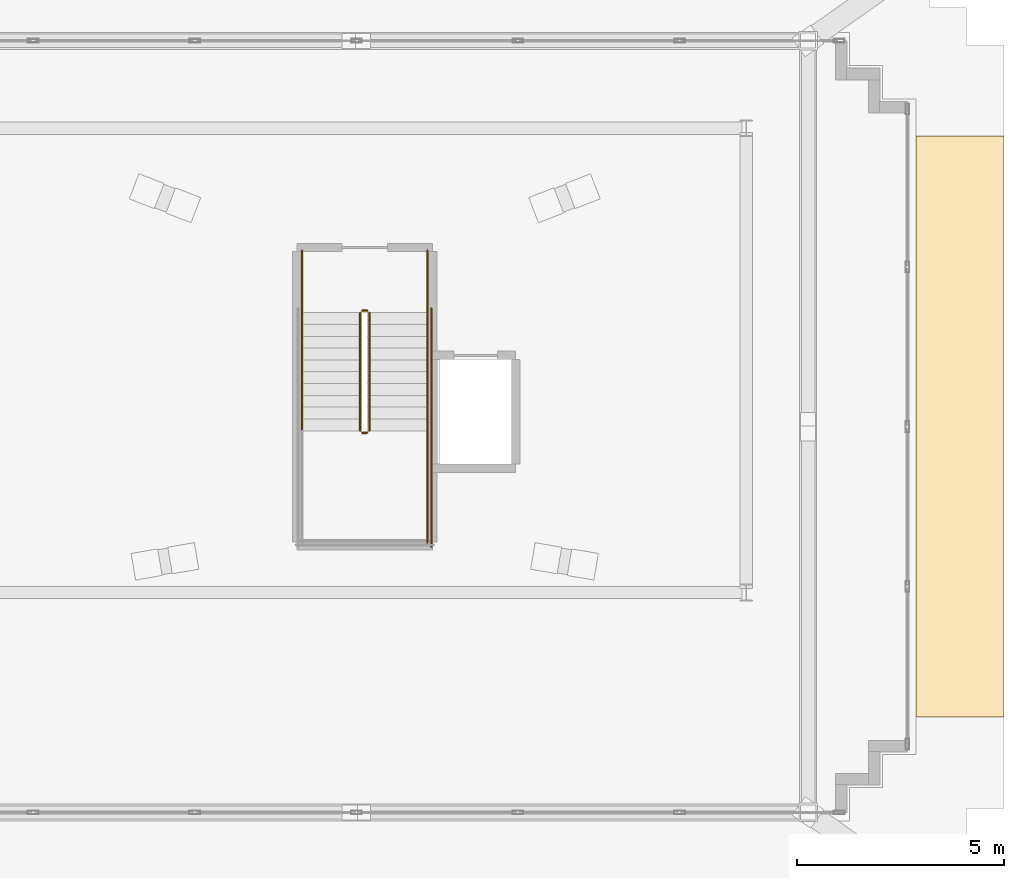
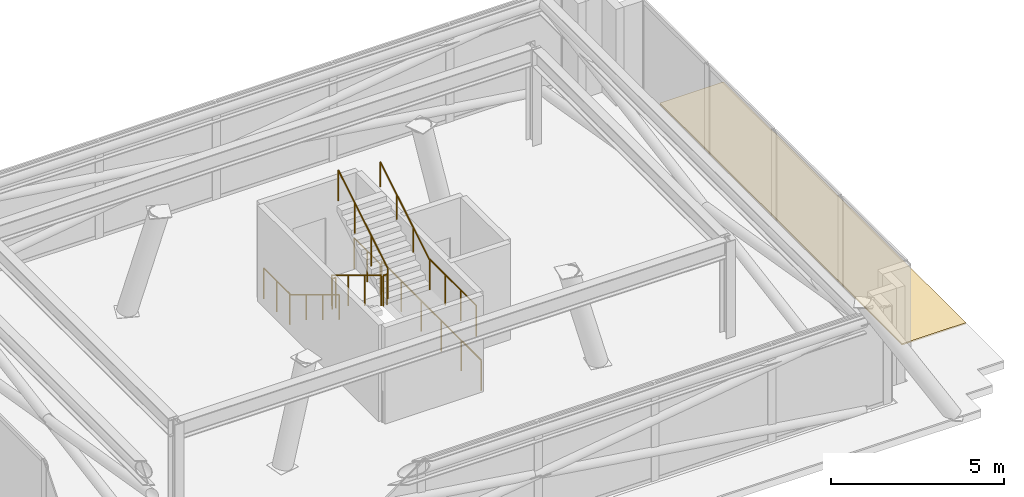
# One storey, part 12 of 13: 10 railings, 1 covering.
"""IFC4 building model written with IfcOpenShell, lengths in metres."""

from ifc_helpers import new_model, si_unit, direction, frame, origin, origin_2d, place, context, subcontext, project, spatial, polyline, circle, outline, extrude, material, layer, layer_set, type_object, element, save


model = new_model("IFC4")

# Units and contexts
model_context = context("Model", 3, precision=1e-05, world=origin(), true_north=direction((0.0, 1.0)))
body_context = subcontext(model_context, "Body", "Model", "MODEL_VIEW")
ifc_project = project(units=[si_unit("LENGTHUNIT", "METRE"), si_unit("AREAUNIT", "SQUARE_METRE"), si_unit("VOLUMEUNIT", "CUBIC_METRE"), si_unit("PLANEANGLEUNIT", "RADIAN"), si_unit("MASSUNIT", "GRAM", prefix="KILO")], contexts=[model_context])

# Site, building, storey
site_placement = place(None, origin())
site = spatial("IfcSite", under=ifc_project, at=site_placement, CompositionType="ELEMENT")
building_placement = place(site_placement, origin())
building = spatial("IfcBuilding", under=site, at=building_placement, Name="Qobustan Lattice House", CompositionType="ELEMENT")
storey_placement = place(building_placement, frame((0.0, 0.0, 285.39990234375)))
storey = spatial("IfcBuildingStorey", under=building, at=storey_placement, Name="L80", CompositionType="ELEMENT", Elevation=285.39990234375)

# Covering
ifc_material_1 = material(Name="Insulated stone-ballasted roof membrane", Category="masonry")
ifc_layer = layer(ifc_material_1, 0.050048828125)
ifc_layer_set = layer_set([ifc_layer], Name="Insulated stone-ballasted roof membrane")
covering_type = type_object("IfcCoveringType", Name="COV-ROOF-MEMB", PredefinedType="ROOFING", material=ifc_layer_set)
covering_placement = place(storey_placement, origin())
element("IfcCovering", 1, at=covering_placement, inside=storey, type_object=covering_type, Name="L80 crown step roof membrane 4", PredefinedType="ROOFING", context=body_context, shape_type="SweptSolid", body=[
    extrude(outline(polyline([(15.419921875, 5.406494140625), (13.29345703125, 5.406494140625), (13.29345703125, -8.6064453125), (15.419921875, -8.6064453125), (15.419921875, 5.406494140625)])), origin(), (0.0, 0.0, 1.0), 0.050048828125),
])

# Railings
ifc_material_2 = material(Name="Brushed stainless steel handrail", Category="steel")
railing_type_1 = type_object("IfcRailingType", Name="RAL-HR-920", PredefinedType="HANDRAIL", material=ifc_material_2)
railing_1_placement = place(storey_placement, frame((-1.510009765625, 1.14990234375, 0.1728515625)))
element("IfcRailing", 2, at=railing_1_placement, inside=storey, type_object=railing_type_1, Name="L80 ST-C1 stair handrail 1", PredefinedType="HANDRAIL", context=body_context, shape_type="SweptSolid", body=[
    extrude(circle(Radius=0.02392578125, at=origin_2d()), frame((0.0, 0.0, 0.8759765625), z_axis=(0.0, -0.855183070636, 0.518326070826), x_axis=(1.0, 0.0, 0.0)), (0.0, 0.0, 1.0), 3.33251953125),
    extrude(circle(Radius=0.02099609375, at=origin_2d()), origin(), (0.0, 0.0, 1.0), 0.851806640625),
    extrude(circle(Radius=0.02099609375, at=origin_2d()), frame((0.0, -0.949951171875, 0.57568359375)), (0.0, 0.0, 1.0), 0.851806640625),
    extrude(circle(Radius=0.02099609375, at=origin_2d()), frame((0.0, -1.89990234375, 1.151611328125)), (0.0, 0.0, 1.0), 0.851806640625),
    extrude(circle(Radius=0.02099609375, at=origin_2d()), frame((0.0, -2.849853515625, 1.727294921875)), (0.0, 0.0, 1.0), 0.851806640625),
])
railing_2_placement = place(storey_placement, frame((1.510009765625, -1.699951171875, 2.07275390625)))
element("IfcRailing", 3, at=railing_2_placement, inside=storey, type_object=railing_type_1, Name="L80 ST-C1 stair handrail 2", PredefinedType="HANDRAIL", context=body_context, shape_type="SweptSolid", body=[
    extrude(circle(Radius=0.02392578125, at=origin_2d()), frame((0.0, 0.0, 0.8759765625), z_axis=(0.0, 0.855183070636, 0.518326070826), x_axis=(-1.0, 0.0, 0.0)), (0.0, 0.0, 1.0), 3.33251953125),
    extrude(circle(Radius=0.02099609375, at=origin_2d()), origin(), (0.0, 0.0, 1.0), 0.851806640625),
    extrude(circle(Radius=0.02099609375, at=origin_2d()), frame((0.0, 0.949951171875, 0.57568359375)), (0.0, 0.0, 1.0), 0.851806640625),
    extrude(circle(Radius=0.02099609375, at=origin_2d()), frame((0.0, 1.89990234375, 1.151611328125)), (0.0, 0.0, 1.0), 0.851806640625),
    extrude(circle(Radius=0.02099609375, at=origin_2d()), frame((0.0, 2.849853515625, 1.727294921875)), (0.0, 0.0, 1.0), 0.851806640625),
])
ifc_material_3 = material(Name="Painted galvanized steel guardrail", Category="steel")
railing_type_2 = type_object("IfcRailingType", Name="RAL-STG-1150", PredefinedType="GUARDRAIL", material=ifc_material_3)
railing_3_placement = place(storey_placement, frame((-0.110107421875, 1.14990234375, 0.1728515625)))
element("IfcRailing", 4, at=railing_3_placement, inside=storey, type_object=railing_type_2, Name="L80 ST-C1 stair guard 1", PredefinedType="GUARDRAIL", context=body_context, shape_type="SweptSolid", body=[
    extrude(circle(Radius=0.02392578125, at=origin_2d()), frame((0.0, 0.0, 1.076171875), z_axis=(0.0, -0.855183070636, 0.518326070826), x_axis=(1.0, 0.0, 0.0)), (0.0, 0.0, 1.0), 3.33251953125),
    extrude(circle(Radius=0.02099609375, at=origin_2d()), origin(), (0.0, 0.0, 1.0), 1.052001953125),
    extrude(circle(Radius=0.02099609375, at=origin_2d()), frame((0.0, -0.949951171875, 0.57568359375)), (0.0, 0.0, 1.0), 1.052001953125),
    extrude(circle(Radius=0.02099609375, at=origin_2d()), frame((0.0, -1.89990234375, 1.151611328125)), (0.0, 0.0, 1.0), 1.052001953125),
    extrude(circle(Radius=0.02099609375, at=origin_2d()), frame((0.0, -2.849853515625, 1.727294921875)), (0.0, 0.0, 1.0), 1.052001953125),
])
railing_4_placement = place(storey_placement, frame((-0.06005859375, -1.75, 1.900146484375)))
element("IfcRailing", 5, at=railing_4_placement, inside=storey, type_object=railing_type_2, Name="L80 ST-C1 stair guard 2", PredefinedType="GUARDRAIL", context=body_context, shape_type="SweptSolid", body=[
    extrude(circle(Radius=0.02392578125, at=origin_2d()), frame((0.0, 0.0, 1.076171875), z_axis=(1.0, 0.0, 0.0), x_axis=(0.0, 1.0, 0.0)), (0.0, 0.0, 1.0), 0.1201171875),
    extrude(circle(Radius=0.02099609375, at=origin_2d()), origin(), (0.0, 0.0, 1.0), 1.052001953125),
    extrude(circle(Radius=0.02099609375, at=origin_2d()), frame((0.1201171875, 0.0, 0.0)), (0.0, 0.0, 1.0), 1.052001953125),
])
railing_5_placement = place(storey_placement, frame((1.510009765625, -1.699951171875, 1.900146484375)))
element("IfcRailing", 6, at=railing_5_placement, inside=storey, type_object=railing_type_2, Name="L80 ST-C1 stair guard 4", PredefinedType="GUARDRAIL", context=body_context, shape_type="SweptSolid", body=[
    extrude(circle(Radius=0.02392578125, at=origin_2d()), frame((0.0, 0.0, 1.076171875), z_axis=(0.0, -1.0, 0.0), x_axis=(1.0, 0.0, 0.0)), (0.0, 0.0, 1.0), 2.699951171875),
    extrude(circle(Radius=0.02099609375, at=origin_2d()), origin(), (0.0, 0.0, 1.0), 1.052001953125),
    extrude(circle(Radius=0.02099609375, at=origin_2d()), frame((0.0, -0.89990234375, 0.0)), (0.0, 0.0, 1.0), 1.052001953125),
    extrude(circle(Radius=0.02099609375, at=origin_2d()), frame((0.0, -1.800048828125, 0.0)), (0.0, 0.0, 1.0), 1.052001953125),
    extrude(circle(Radius=0.02099609375, at=origin_2d()), frame((0.0, -2.699951171875, 0.0)), (0.0, 0.0, 1.0), 1.052001953125),
])
railing_6_placement = place(storey_placement, frame((0.110107421875, -1.699951171875, 2.07275390625)))
element("IfcRailing", 7, at=railing_6_placement, inside=storey, type_object=railing_type_2, Name="L80 ST-C1 stair guard 6", PredefinedType="GUARDRAIL", context=body_context, shape_type="SweptSolid", body=[
    extrude(circle(Radius=0.02392578125, at=origin_2d()), frame((0.0, 0.0, 1.076171875), z_axis=(0.0, 0.855183070636, 0.518326070826), x_axis=(-1.0, 0.0, 0.0)), (0.0, 0.0, 1.0), 3.33251953125),
    extrude(circle(Radius=0.02099609375, at=origin_2d()), origin(), (0.0, 0.0, 1.0), 1.052001953125),
    extrude(circle(Radius=0.02099609375, at=origin_2d()), frame((0.0, 0.949951171875, 0.57568359375)), (0.0, 0.0, 1.0), 1.052001953125),
    extrude(circle(Radius=0.02099609375, at=origin_2d()), frame((0.0, 1.89990234375, 1.151611328125)), (0.0, 0.0, 1.0), 1.052001953125),
    extrude(circle(Radius=0.02099609375, at=origin_2d()), frame((0.0, 2.849853515625, 1.727294921875)), (0.0, 0.0, 1.0), 1.052001953125),
])
railing_7_placement = place(storey_placement, frame((-0.06005859375, 1.199951171875, 0.0)))
element("IfcRailing", 8, at=railing_7_placement, inside=storey, type_object=railing_type_2, Name="L80 ST-C1 stair guard 7", PredefinedType="GUARDRAIL", context=body_context, shape_type="SweptSolid", body=[
    extrude(circle(Radius=0.02392578125, at=origin_2d()), frame((0.0, 0.0, 1.076171875), z_axis=(1.0, 0.0, 0.0), x_axis=(0.0, 1.0, 0.0)), (0.0, 0.0, 1.0), 0.1201171875),
    extrude(circle(Radius=0.02099609375, at=origin_2d()), origin(), (0.0, 0.0, 1.0), 1.052001953125),
    extrude(circle(Radius=0.02099609375, at=origin_2d()), frame((0.1201171875, 0.0, 0.0)), (0.0, 0.0, 1.0), 1.052001953125),
])
for number, where, name in (
    (9, (-1.510009765625, 2.64990234375, 0.0), "L80 ST-C1 stair guard 8"),
    (10, (1.510009765625, 2.64990234375, 0.0), "L80 ST-C1 stair guard 9"),
):
    element("IfcRailing", number, at=place(storey_placement, frame(where)), inside=storey, type_object=railing_type_2, Name=name, PredefinedType="GUARDRAIL", context=body_context, shape_type="SweptSolid", body=[
        extrude(circle(Radius=0.02392578125, at=origin_2d()), frame((0.0, 0.0, 1.076171875), z_axis=(0.0, -1.0, 0.0), x_axis=(1.0, 0.0, 0.0)), (0.0, 0.0, 1.0), 1.5),
        extrude(circle(Radius=0.02099609375, at=origin_2d()), origin(), (0.0, 0.0, 1.0), 1.052001953125),
        extrude(circle(Radius=0.02099609375, at=origin_2d()), frame((0.0, -0.75, 0.0)), (0.0, 0.0, 1.0), 1.052001953125),
        extrude(circle(Radius=0.02099609375, at=origin_2d()), frame((0.0, -1.5, 0.0)), (0.0, 0.0, 1.0), 1.052001953125),
    ])
railing_8_placement = place(storey_placement, frame((1.610107421875, 1.25, 0.0)))
element("IfcRailing", 11, at=railing_8_placement, inside=storey, type_object=railing_type_2, Name="L80 ST-C1 stair guard 11", PredefinedType="GUARDRAIL", context=body_context, shape_type="SweptSolid", body=[
    extrude(circle(Radius=0.02392578125, at=origin_2d()), frame((0.0, 0.0, 1.076171875), z_axis=(0.0, -1.0, 0.0), x_axis=(1.0, 0.0, 0.0)), (0.0, 0.0, 1.0), 5.75),
    extrude(circle(Radius=0.02099609375, at=origin_2d()), origin(), (0.0, 0.0, 1.0), 1.052001953125),
    extrude(circle(Radius=0.02099609375, at=origin_2d()), frame((0.0, -1.14990234375, 0.0)), (0.0, 0.0, 1.0), 1.052001953125),
    extrude(circle(Radius=0.02099609375, at=origin_2d()), frame((0.0, -2.300048828125, 0.0)), (0.0, 0.0, 1.0), 1.052001953125),
    extrude(circle(Radius=0.02099609375, at=origin_2d()), frame((0.0, -3.449951171875, 0.0)), (0.0, 0.0, 1.0), 1.052001953125),
    extrude(circle(Radius=0.02099609375, at=origin_2d()), frame((0.0, -4.60009765625, 0.0)), (0.0, 0.0, 1.0), 1.052001953125),
    extrude(circle(Radius=0.02099609375, at=origin_2d()), frame((0.0, -5.75, 0.0)), (0.0, 0.0, 1.0), 1.052001953125),
])

save(model, "model.ifc")
